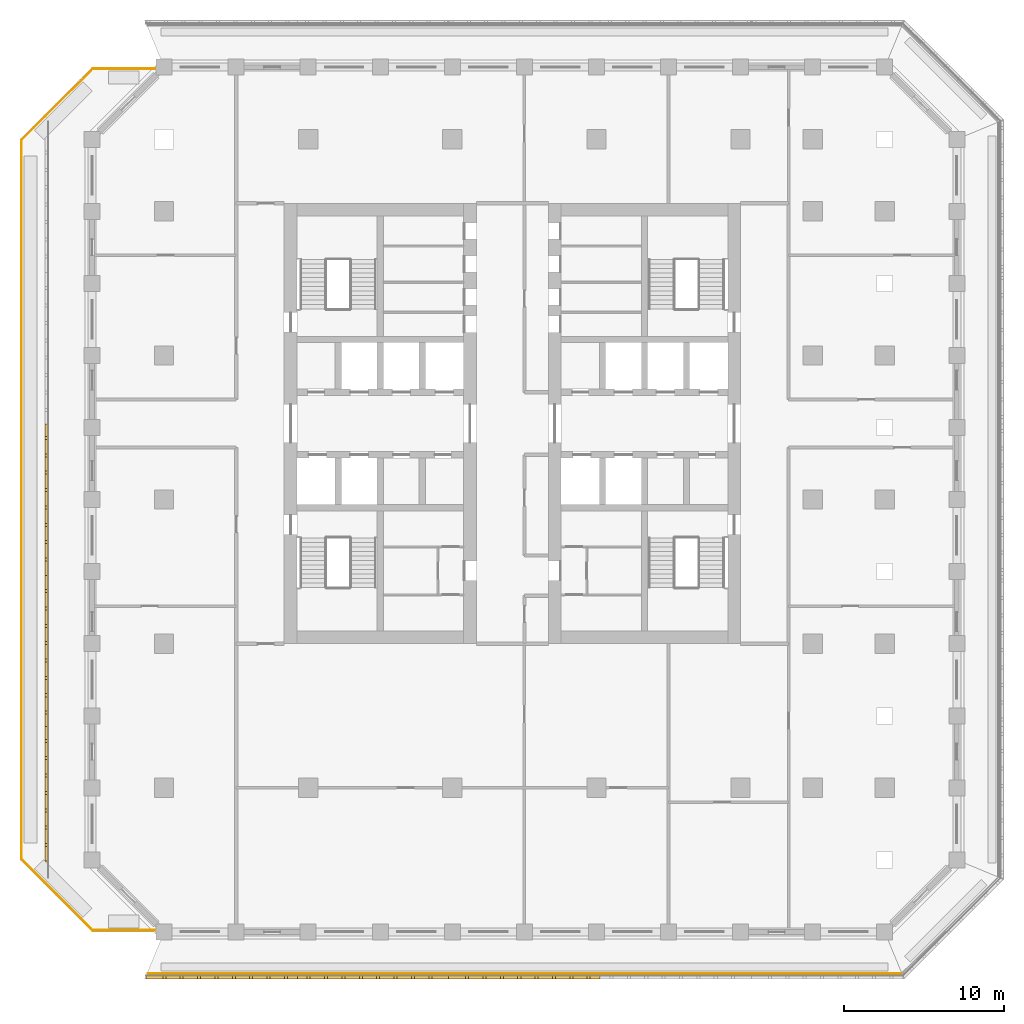
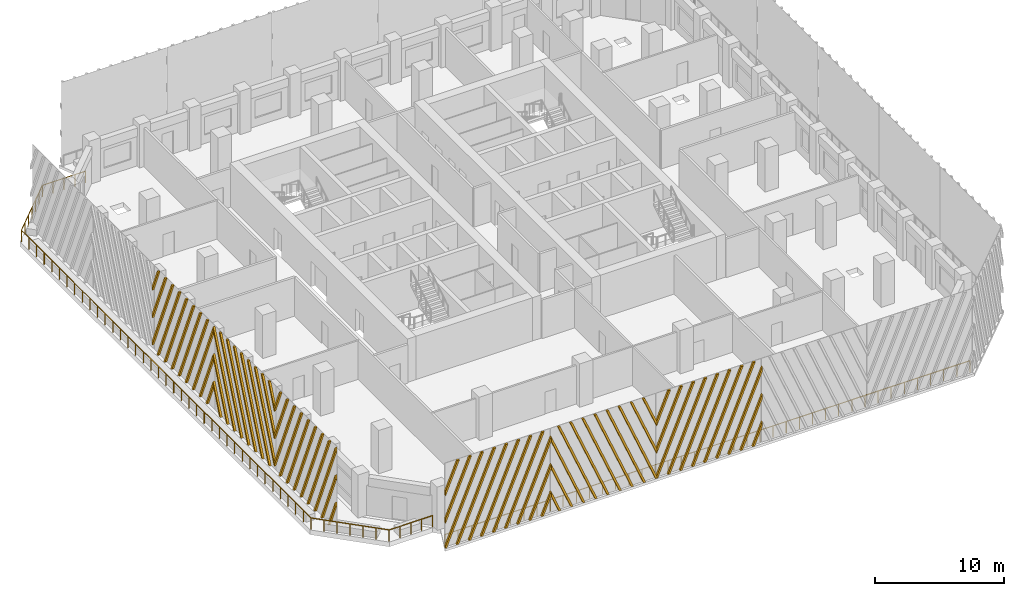
# One storey, part 9 of 16: 6 shading devices, 2 railings.
"""IFC4 building model written with IfcOpenShell, lengths in metres."""

from ifc_helpers import new_model, si_unit, direction, frame, origin, origin_2d, place, context, subcontext, project, spatial, polyline, circle, outline, extrude, source, transform, mapped, material, type_object, element, save


model = new_model("IFC4")

# Units and contexts
model_context = context("Model", 3, precision=1e-05, world=origin(), true_north=direction((0.0, 1.0)))
body_context = subcontext(model_context, "Body", "Model", "MODEL_VIEW")
ifc_project = project(units=[si_unit("LENGTHUNIT", "METRE"), si_unit("AREAUNIT", "SQUARE_METRE"), si_unit("VOLUMEUNIT", "CUBIC_METRE"), si_unit("PLANEANGLEUNIT", "RADIAN"), si_unit("MASSUNIT", "GRAM", prefix="KILO")], contexts=[model_context])

# Site, building, storey
site_placement = place(None, origin())
site = spatial("IfcSite", under=ifc_project, at=site_placement, CompositionType="ELEMENT")
building_placement = place(site_placement, origin())
building = spatial("IfcBuilding", under=site, at=building_placement, Name="Corbel Stack Research Tower", CompositionType="ELEMENT")
storey_placement = place(building_placement, frame((0.0, 0.0, 191.5)))
storey = spatial("IfcBuildingStorey", under=building, at=storey_placement, Name="L43", CompositionType="ELEMENT", Elevation=191.5)

# Railings
ifc_material_1 = material(Name="Powder-coated steel guard", Category="steel")
railing_type = type_object("IfcRailingType", Name="Steel and glass guard 1100", PredefinedType="GUARDRAIL", material=ifc_material_1)
railing_1_placement = place(storey_placement, frame((-19.00537109375, -29.60009765625, 0.0)))
element("IfcRailing", 1, at=railing_1_placement, inside=storey, type_object=railing_type, Name="Loggia guard L43 S", PredefinedType="GUARDRAIL", context=body_context, shape_type="SweptSolid", body=[
    extrude(circle(Radius=0.02392578125, at=origin_2d()), frame((0.0, 0.0, 1.076171875), z_axis=(1.0, 0.0, 0.0), x_axis=(0.0, 1.0, 0.0)), (0.0, 0.0, 1.0), 47.0107421875),
    extrude(circle(Radius=0.02099609375, at=origin_2d()), origin(), (0.0, 0.0, 1.0), 1.052001953125),
    extrude(circle(Radius=0.02099609375, at=origin_2d()), frame((1.17529296875, 0.0, 0.0)), (0.0, 0.0, 1.0), 1.052001953125),
    extrude(circle(Radius=0.02099609375, at=origin_2d()), frame((2.3505859375, 0.0, 0.0)), (0.0, 0.0, 1.0), 1.052001953125),
    extrude(circle(Radius=0.02099609375, at=origin_2d()), frame((3.52587890625, 0.0, 0.0)), (0.0, 0.0, 1.0), 1.052001953125),
    extrude(circle(Radius=0.02099609375, at=origin_2d()), frame((4.701171875, 0.0, 0.0)), (0.0, 0.0, 1.0), 1.052001953125),
    extrude(circle(Radius=0.02099609375, at=origin_2d()), frame((5.87646484375, 0.0, 0.0)), (0.0, 0.0, 1.0), 1.052001953125),
    extrude(circle(Radius=0.02099609375, at=origin_2d()), frame((7.051513671875, 0.0, 0.0)), (0.0, 0.0, 1.0), 1.052001953125),
    extrude(circle(Radius=0.02099609375, at=origin_2d()), frame((8.226806640625, 0.0, 0.0)), (0.0, 0.0, 1.0), 1.052001953125),
    extrude(circle(Radius=0.02099609375, at=origin_2d()), frame((9.402099609375, 0.0, 0.0)), (0.0, 0.0, 1.0), 1.052001953125),
    extrude(circle(Radius=0.02099609375, at=origin_2d()), frame((10.577392578125, 0.0, 0.0)), (0.0, 0.0, 1.0), 1.052001953125),
    extrude(circle(Radius=0.02099609375, at=origin_2d()), frame((11.752685546875, 0.0, 0.0)), (0.0, 0.0, 1.0), 1.052001953125),
    extrude(circle(Radius=0.02099609375, at=origin_2d()), frame((12.927978515625, 0.0, 0.0)), (0.0, 0.0, 1.0), 1.052001953125),
    extrude(circle(Radius=0.02099609375, at=origin_2d()), frame((14.103271484375, 0.0, 0.0)), (0.0, 0.0, 1.0), 1.052001953125),
    extrude(circle(Radius=0.02099609375, at=origin_2d()), frame((15.278564453125, 0.0, 0.0)), (0.0, 0.0, 1.0), 1.052001953125),
    extrude(circle(Radius=0.02099609375, at=origin_2d()), frame((16.453857421875, 0.0, 0.0)), (0.0, 0.0, 1.0), 1.052001953125),
    extrude(circle(Radius=0.02099609375, at=origin_2d()), frame((17.62890625, 0.0, 0.0)), (0.0, 0.0, 1.0), 1.052001953125),
    extrude(circle(Radius=0.02099609375, at=origin_2d()), frame((18.80419921875, 0.0, 0.0)), (0.0, 0.0, 1.0), 1.052001953125),
    extrude(circle(Radius=0.02099609375, at=origin_2d()), frame((19.9794921875, 0.0, 0.0)), (0.0, 0.0, 1.0), 1.052001953125),
    extrude(circle(Radius=0.02099609375, at=origin_2d()), frame((21.15478515625, 0.0, 0.0)), (0.0, 0.0, 1.0), 1.052001953125),
    extrude(circle(Radius=0.02099609375, at=origin_2d()), frame((22.330078125, 0.0, 0.0)), (0.0, 0.0, 1.0), 1.052001953125),
    extrude(circle(Radius=0.02099609375, at=origin_2d()), frame((23.50537109375, 0.0, 0.0)), (0.0, 0.0, 1.0), 1.052001953125),
    extrude(circle(Radius=0.02099609375, at=origin_2d()), frame((24.6806640625, 0.0, 0.0)), (0.0, 0.0, 1.0), 1.052001953125),
    extrude(circle(Radius=0.02099609375, at=origin_2d()), frame((25.85595703125, 0.0, 0.0)), (0.0, 0.0, 1.0), 1.052001953125),
    extrude(circle(Radius=0.02099609375, at=origin_2d()), frame((27.03125, 0.0, 0.0)), (0.0, 0.0, 1.0), 1.052001953125),
    extrude(circle(Radius=0.02099609375, at=origin_2d()), frame((28.20654296875, 0.0, 0.0)), (0.0, 0.0, 1.0), 1.052001953125),
    extrude(circle(Radius=0.02099609375, at=origin_2d()), frame((29.3818359375, 0.0, 0.0)), (0.0, 0.0, 1.0), 1.052001953125),
    extrude(circle(Radius=0.02099609375, at=origin_2d()), frame((30.556884765625, 0.0, 0.0)), (0.0, 0.0, 1.0), 1.052001953125),
    extrude(circle(Radius=0.02099609375, at=origin_2d()), frame((31.732177734375, 0.0, 0.0)), (0.0, 0.0, 1.0), 1.052001953125),
    extrude(circle(Radius=0.02099609375, at=origin_2d()), frame((32.907470703125, 0.0, 0.0)), (0.0, 0.0, 1.0), 1.052001953125),
    extrude(circle(Radius=0.02099609375, at=origin_2d()), frame((34.082763671875, 0.0, 0.0)), (0.0, 0.0, 1.0), 1.052001953125),
    extrude(circle(Radius=0.02099609375, at=origin_2d()), frame((35.258056640625, 0.0, 0.0)), (0.0, 0.0, 1.0), 1.052001953125),
    extrude(circle(Radius=0.02099609375, at=origin_2d()), frame((36.433349609375, 0.0, 0.0)), (0.0, 0.0, 1.0), 1.052001953125),
    extrude(circle(Radius=0.02099609375, at=origin_2d()), frame((37.608642578125, 0.0, 0.0)), (0.0, 0.0, 1.0), 1.052001953125),
    extrude(circle(Radius=0.02099609375, at=origin_2d()), frame((38.783935546875, 0.0, 0.0)), (0.0, 0.0, 1.0), 1.052001953125),
    extrude(circle(Radius=0.02099609375, at=origin_2d()), frame((39.959228515625, 0.0, 0.0)), (0.0, 0.0, 1.0), 1.052001953125),
    extrude(circle(Radius=0.02099609375, at=origin_2d()), frame((41.13427734375, 0.0, 0.0)), (0.0, 0.0, 1.0), 1.052001953125),
    extrude(circle(Radius=0.02099609375, at=origin_2d()), frame((42.3095703125, 0.0, 0.0)), (0.0, 0.0, 1.0), 1.052001953125),
    extrude(circle(Radius=0.02099609375, at=origin_2d()), frame((43.48486328125, 0.0, 0.0)), (0.0, 0.0, 1.0), 1.052001953125),
    extrude(circle(Radius=0.02099609375, at=origin_2d()), frame((44.66015625, 0.0, 0.0)), (0.0, 0.0, 1.0), 1.052001953125),
    extrude(circle(Radius=0.02099609375, at=origin_2d()), frame((45.83544921875, 0.0, 0.0)), (0.0, 0.0, 1.0), 1.052001953125),
    extrude(circle(Radius=0.02099609375, at=origin_2d()), frame((47.0107421875, 0.0, 0.0)), (0.0, 0.0, 1.0), 1.052001953125),
])
railing_2_placement = place(storey_placement, frame((-18.57421875, -26.89990234375, 0.0)))
element("IfcRailing", 2, at=railing_2_placement, inside=storey, type_object=railing_type, Name="Terrace guard L43", PredefinedType="GUARDRAIL", context=body_context, shape_type="SweptSolid", body=[
    extrude(circle(Radius=0.02392578125, at=origin_2d()), frame((0.0, 0.0, 1.076171875), z_axis=(-1.0, 0.0, 0.0), x_axis=(0.0, -1.0, 0.0)), (0.0, 0.0, 1.0), 3.88427734375),
    extrude(circle(Radius=0.02392578125, at=origin_2d()), frame((-3.88427734375, 0.0, 1.076171875), z_axis=(-0.707106781187, 0.707106781187, 0.0), x_axis=(-0.707106781187, -0.707106781187, 0.0)), (0.0, 0.0, 1.0), 6.281005859375),
    extrude(circle(Radius=0.02392578125, at=origin_2d()), frame((-8.32568359375, 4.44140625, 1.076171875), z_axis=(0.0, 1.0, 0.0), x_axis=(-1.0, 0.0, 0.0)), (0.0, 0.0, 1.0), 44.9169921875),
    extrude(circle(Radius=0.02392578125, at=origin_2d()), frame((-8.32568359375, 49.3583984375, 1.076171875), z_axis=(0.707106781187, 0.707106781187, 0.0), x_axis=(-0.707106781187, 0.707106781187, 0.0)), (0.0, 0.0, 1.0), 6.281005859375),
    extrude(circle(Radius=0.02392578125, at=origin_2d()), frame((-3.88427734375, 53.7998046875, 1.076171875), z_axis=(1.0, 0.0, 0.0), x_axis=(0.0, 1.0, 0.0)), (0.0, 0.0, 1.0), 3.88427734375),
    extrude(circle(Radius=0.02099609375, at=origin_2d()), origin(), (0.0, 0.0, 1.0), 1.052001953125),
    extrude(circle(Radius=0.02099609375, at=origin_2d()), frame((-0.97119140625, 0.0, 0.0)), (0.0, 0.0, 1.0), 1.052001953125),
    extrude(circle(Radius=0.02099609375, at=origin_2d()), frame((-1.942138671875, 0.0, 0.0)), (0.0, 0.0, 1.0), 1.052001953125),
    extrude(circle(Radius=0.02099609375, at=origin_2d()), frame((-2.9130859375, 0.0, 0.0)), (0.0, 0.0, 1.0), 1.052001953125),
    extrude(circle(Radius=0.02099609375, at=origin_2d()), frame((-3.88427734375, 0.0, 0.0)), (0.0, 0.0, 1.0), 1.052001953125),
    extrude(circle(Radius=0.02099609375, at=origin_2d()), frame((-4.62451171875, 0.740234375, 0.0)), (0.0, 0.0, 1.0), 1.052001953125),
    extrude(circle(Radius=0.02099609375, at=origin_2d()), frame((-5.36474609375, 1.48046875, 0.0)), (0.0, 0.0, 1.0), 1.052001953125),
    extrude(circle(Radius=0.02099609375, at=origin_2d()), frame((-6.10498046875, 2.220703125, 0.0)), (0.0, 0.0, 1.0), 1.052001953125),
    extrude(circle(Radius=0.02099609375, at=origin_2d()), frame((-6.84521484375, 2.9609375, 0.0)), (0.0, 0.0, 1.0), 1.052001953125),
    extrude(circle(Radius=0.02099609375, at=origin_2d()), frame((-7.58544921875, 3.701171875, 0.0)), (0.0, 0.0, 1.0), 1.052001953125),
    extrude(circle(Radius=0.02099609375, at=origin_2d()), frame((-8.32568359375, 4.44140625, 0.0)), (0.0, 0.0, 1.0), 1.052001953125),
    extrude(circle(Radius=0.02099609375, at=origin_2d()), frame((-8.32568359375, 5.62353515625, 0.0)), (0.0, 0.0, 1.0), 1.052001953125),
    extrude(circle(Radius=0.02099609375, at=origin_2d()), frame((-8.32568359375, 6.805419921875, 0.0)), (0.0, 0.0, 1.0), 1.052001953125),
    extrude(circle(Radius=0.02099609375, at=origin_2d()), frame((-8.32568359375, 7.987548828125, 0.0)), (0.0, 0.0, 1.0), 1.052001953125),
    extrude(circle(Radius=0.02099609375, at=origin_2d()), frame((-8.32568359375, 9.16943359375, 0.0)), (0.0, 0.0, 1.0), 1.052001953125),
    extrude(circle(Radius=0.02099609375, at=origin_2d()), frame((-8.32568359375, 10.3515625, 0.0)), (0.0, 0.0, 1.0), 1.052001953125),
    extrude(circle(Radius=0.02099609375, at=origin_2d()), frame((-8.32568359375, 11.533447265625, 0.0)), (0.0, 0.0, 1.0), 1.052001953125),
    extrude(circle(Radius=0.02099609375, at=origin_2d()), frame((-8.32568359375, 12.715576171875, 0.0)), (0.0, 0.0, 1.0), 1.052001953125),
    extrude(circle(Radius=0.02099609375, at=origin_2d()), frame((-8.32568359375, 13.897705078125, 0.0)), (0.0, 0.0, 1.0), 1.052001953125),
    extrude(circle(Radius=0.02099609375, at=origin_2d()), frame((-8.32568359375, 15.07958984375, 0.0)), (0.0, 0.0, 1.0), 1.052001953125),
    extrude(circle(Radius=0.02099609375, at=origin_2d()), frame((-8.32568359375, 16.26171875, 0.0)), (0.0, 0.0, 1.0), 1.052001953125),
    extrude(circle(Radius=0.02099609375, at=origin_2d()), frame((-8.32568359375, 17.443603515625, 0.0)), (0.0, 0.0, 1.0), 1.052001953125),
    extrude(circle(Radius=0.02099609375, at=origin_2d()), frame((-8.32568359375, 18.625732421875, 0.0)), (0.0, 0.0, 1.0), 1.052001953125),
    extrude(circle(Radius=0.02099609375, at=origin_2d()), frame((-8.32568359375, 19.807861328125, 0.0)), (0.0, 0.0, 1.0), 1.052001953125),
    extrude(circle(Radius=0.02099609375, at=origin_2d()), frame((-8.32568359375, 20.98974609375, 0.0)), (0.0, 0.0, 1.0), 1.052001953125),
    extrude(circle(Radius=0.02099609375, at=origin_2d()), frame((-8.32568359375, 22.171875, 0.0)), (0.0, 0.0, 1.0), 1.052001953125),
    extrude(circle(Radius=0.02099609375, at=origin_2d()), frame((-8.32568359375, 23.353759765625, 0.0)), (0.0, 0.0, 1.0), 1.052001953125),
    extrude(circle(Radius=0.02099609375, at=origin_2d()), frame((-8.32568359375, 24.535888671875, 0.0)), (0.0, 0.0, 1.0), 1.052001953125),
    extrude(circle(Radius=0.02099609375, at=origin_2d()), frame((-8.32568359375, 25.7177734375, 0.0)), (0.0, 0.0, 1.0), 1.052001953125),
    extrude(circle(Radius=0.02099609375, at=origin_2d()), frame((-8.32568359375, 26.89990234375, 0.0)), (0.0, 0.0, 1.0), 1.052001953125),
    extrude(circle(Radius=0.02099609375, at=origin_2d()), frame((-8.32568359375, 28.08203125, 0.0)), (0.0, 0.0, 1.0), 1.052001953125),
    extrude(circle(Radius=0.02099609375, at=origin_2d()), frame((-8.32568359375, 29.263916015625, 0.0)), (0.0, 0.0, 1.0), 1.052001953125),
    extrude(circle(Radius=0.02099609375, at=origin_2d()), frame((-8.32568359375, 30.446044921875, 0.0)), (0.0, 0.0, 1.0), 1.052001953125),
    extrude(circle(Radius=0.02099609375, at=origin_2d()), frame((-8.32568359375, 31.6279296875, 0.0)), (0.0, 0.0, 1.0), 1.052001953125),
    extrude(circle(Radius=0.02099609375, at=origin_2d()), frame((-8.32568359375, 32.81005859375, 0.0)), (0.0, 0.0, 1.0), 1.052001953125),
    extrude(circle(Radius=0.02099609375, at=origin_2d()), frame((-8.32568359375, 33.991943359375, 0.0)), (0.0, 0.0, 1.0), 1.052001953125),
    extrude(circle(Radius=0.02099609375, at=origin_2d()), frame((-8.32568359375, 35.174072265625, 0.0)), (0.0, 0.0, 1.0), 1.052001953125),
    extrude(circle(Radius=0.02099609375, at=origin_2d()), frame((-8.32568359375, 36.356201171875, 0.0)), (0.0, 0.0, 1.0), 1.052001953125),
    extrude(circle(Radius=0.02099609375, at=origin_2d()), frame((-8.32568359375, 37.5380859375, 0.0)), (0.0, 0.0, 1.0), 1.052001953125),
    extrude(circle(Radius=0.02099609375, at=origin_2d()), frame((-8.32568359375, 38.72021484375, 0.0)), (0.0, 0.0, 1.0), 1.052001953125),
    extrude(circle(Radius=0.02099609375, at=origin_2d()), frame((-8.32568359375, 39.902099609375, 0.0)), (0.0, 0.0, 1.0), 1.052001953125),
    extrude(circle(Radius=0.02099609375, at=origin_2d()), frame((-8.32568359375, 41.084228515625, 0.0)), (0.0, 0.0, 1.0), 1.052001953125),
    extrude(circle(Radius=0.02099609375, at=origin_2d()), frame((-8.32568359375, 42.266357421875, 0.0)), (0.0, 0.0, 1.0), 1.052001953125),
    extrude(circle(Radius=0.02099609375, at=origin_2d()), frame((-8.32568359375, 43.4482421875, 0.0)), (0.0, 0.0, 1.0), 1.052001953125),
    extrude(circle(Radius=0.02099609375, at=origin_2d()), frame((-8.32568359375, 44.63037109375, 0.0)), (0.0, 0.0, 1.0), 1.052001953125),
    extrude(circle(Radius=0.02099609375, at=origin_2d()), frame((-8.32568359375, 45.812255859375, 0.0)), (0.0, 0.0, 1.0), 1.052001953125),
    extrude(circle(Radius=0.02099609375, at=origin_2d()), frame((-8.32568359375, 46.994384765625, 0.0)), (0.0, 0.0, 1.0), 1.052001953125),
    extrude(circle(Radius=0.02099609375, at=origin_2d()), frame((-8.32568359375, 48.17626953125, 0.0)), (0.0, 0.0, 1.0), 1.052001953125),
    extrude(circle(Radius=0.02099609375, at=origin_2d()), frame((-8.32568359375, 49.3583984375, 0.0)), (0.0, 0.0, 1.0), 1.052001953125),
    extrude(circle(Radius=0.02099609375, at=origin_2d()), frame((-7.58544921875, 50.0986328125, 0.0)), (0.0, 0.0, 1.0), 1.052001953125),
    extrude(circle(Radius=0.02099609375, at=origin_2d()), frame((-6.84521484375, 50.8388671875, 0.0)), (0.0, 0.0, 1.0), 1.052001953125),
    extrude(circle(Radius=0.02099609375, at=origin_2d()), frame((-6.10498046875, 51.5791015625, 0.0)), (0.0, 0.0, 1.0), 1.052001953125),
    extrude(circle(Radius=0.02099609375, at=origin_2d()), frame((-5.36474609375, 52.3193359375, 0.0)), (0.0, 0.0, 1.0), 1.052001953125),
    extrude(circle(Radius=0.02099609375, at=origin_2d()), frame((-4.62451171875, 53.0595703125, 0.0)), (0.0, 0.0, 1.0), 1.052001953125),
    extrude(circle(Radius=0.02099609375, at=origin_2d()), frame((-3.88427734375, 53.7998046875, 0.0)), (0.0, 0.0, 1.0), 1.052001953125),
    extrude(circle(Radius=0.02099609375, at=origin_2d()), frame((-2.9130859375, 53.7998046875, 0.0)), (0.0, 0.0, 1.0), 1.052001953125),
    extrude(circle(Radius=0.02099609375, at=origin_2d()), frame((-1.942138671875, 53.7998046875, 0.0)), (0.0, 0.0, 1.0), 1.052001953125),
    extrude(circle(Radius=0.02099609375, at=origin_2d()), frame((-0.97119140625, 53.7998046875, 0.0)), (0.0, 0.0, 1.0), 1.052001953125),
    extrude(circle(Radius=0.02099609375, at=origin_2d()), frame((0.0, 53.7998046875, 0.0)), (0.0, 0.0, 1.0), 1.052001953125),
])

# Shading devices
ifc_material_2 = material(Name="Precast terracotta", Category="masonry")
shading_device_type = type_object("IfcShadingDeviceType", Name="Terracotta screen panel", PredefinedType="USERDEFINED", material=ifc_material_2)
shared_shape_1 = source(origin(), body_context, "Body", "SweptSolid", [
    extrude(outline(polyline([(1.245849609375, 7.949951171875), (1.055908203125, 7.949951171875), (0.0, 5.421875), (0.0, 4.966796875), (1.245849609375, 7.949951171875)])), frame((0.0, 0.0, 0.0), z_axis=(0.0, -1.0, 0.0), x_axis=(1.0, 0.0, 0.0)), (0.0, 0.0, 1.0), 0.179931640625),
    extrude(outline(polyline([(2.33056640625, 7.949951171875), (2.140380859375, 7.949951171875), (0.0, 2.82470703125), (0.0, 2.36962890625), (2.33056640625, 7.949951171875)])), frame((0.0, 0.0, 0.0), z_axis=(0.0, -1.0, 0.0), x_axis=(1.0, 0.0, 0.0)), (0.0, 0.0, 1.0), 0.179931640625),
    extrude(outline(polyline([(0.094970703125, 0.0), (3.415283203125, 7.949951171875), (3.22509765625, 7.949951171875), (0.0, 0.2275390625), (0.0, 0.0), (0.094970703125, 0.0)])), frame((0.0, 0.0, 0.0), z_axis=(0.0, -1.0, 0.0), x_axis=(1.0, 0.0, 0.0)), (0.0, 0.0, 1.0), 0.179931640625),
    extrude(outline(polyline([(1.1796875, 0.0), (4.499755859375, 7.949951171875), (4.309814453125, 7.949951171875), (0.98974609375, 0.0), (1.1796875, 0.0)])), frame((0.0, 0.0, 0.0), z_axis=(0.0, -1.0, 0.0), x_axis=(1.0, 0.0, 0.0)), (0.0, 0.0, 1.0), 0.179931640625),
    extrude(outline(polyline([(2.264404296875, 0.0), (5.58447265625, 7.949951171875), (5.39453125, 7.949951171875), (2.07421875, 0.0), (2.264404296875, 0.0)])), frame((0.0, 0.0, 0.0), z_axis=(0.0, -1.0, 0.0), x_axis=(1.0, 0.0, 0.0)), (0.0, 0.0, 1.0), 0.179931640625),
    extrude(outline(polyline([(3.34912109375, 0.0), (6.669189453125, 7.949951171875), (6.479248046875, 7.949951171875), (3.158935546875, 0.0), (3.34912109375, 0.0)])), frame((0.0, 0.0, 0.0), z_axis=(0.0, -1.0, 0.0), x_axis=(1.0, 0.0, 0.0)), (0.0, 0.0, 1.0), 0.179931640625),
    extrude(outline(polyline([(4.43359375, 0.0), (7.75390625, 7.949951171875), (7.563720703125, 7.949951171875), (4.24365234375, 0.0), (4.43359375, 0.0)])), frame((0.0, 0.0, 0.0), z_axis=(0.0, -1.0, 0.0), x_axis=(1.0, 0.0, 0.0)), (0.0, 0.0, 1.0), 0.179931640625),
    extrude(outline(polyline([(5.518310546875, 0.0), (8.83837890625, 7.949951171875), (8.6484375, 7.949951171875), (5.328369140625, 0.0), (5.518310546875, 0.0)])), frame((0.0, 0.0, 0.0), z_axis=(0.0, -1.0, 0.0), x_axis=(1.0, 0.0, 0.0)), (0.0, 0.0, 1.0), 0.179931640625),
    extrude(outline(polyline([(6.60302734375, 0.0), (9.45556640625, 6.83056640625), (9.45556640625, 7.285400390625), (6.4130859375, 0.0), (6.60302734375, 0.0)])), frame((0.0, 0.0, 0.0), z_axis=(0.0, -1.0, 0.0), x_axis=(1.0, 0.0, 0.0)), (0.0, 0.0, 1.0), 0.179931640625),
    extrude(outline(polyline([(7.687744140625, 0.0), (9.45556640625, 4.2333984375), (9.45556640625, 4.688232421875), (7.497802734375, 0.0), (7.687744140625, 0.0)])), frame((0.0, 0.0, 0.0), z_axis=(0.0, -1.0, 0.0), x_axis=(1.0, 0.0, 0.0)), (0.0, 0.0, 1.0), 0.179931640625),
    extrude(outline(polyline([(8.772216796875, 0.0), (9.45556640625, 1.635986328125), (9.45556640625, 2.091064453125), (8.582275390625, 0.0), (8.772216796875, 0.0)])), frame((0.0, 0.0, 0.0), z_axis=(0.0, -1.0, 0.0), x_axis=(1.0, 0.0, 0.0)), (0.0, 0.0, 1.0), 0.179931640625),
])
for number, where, z_axis, x_axis, name in (
    (3, (-19.13916015625, -29.75, 0.0), (0.0, 0.0, 1.0), (1.0, 0.0, 0.0), "Terracotta screen L43 S1"),
    (4, (-0.227783203125, -29.75, 0.0), (0.0, 0.0, 1.0), (1.0, 0.0, 0.0), "Terracotta screen L43 S3"),
):
    element("IfcShadingDevice", number, at=place(storey_placement, frame(where, z_axis=z_axis, x_axis=x_axis)), inside=storey, type_object=shading_device_type, Name=name, ObjectType="SCREEN", PredefinedType="USERDEFINED", context=body_context, shape_type="MappedRepresentation", body=[
        mapped(shared_shape_1, transform((0.0, 0.0, 0.0))),
    ])
shared_shape_2 = source(origin(), body_context, "Body", "SweptSolid", [
    extrude(outline(polyline([(0.873291015625, 0.0), (0.0, 2.091064453125), (0.0, 1.635986328125), (0.683349609375, 0.0), (0.873291015625, 0.0)])), frame((0.0, 0.0, 0.0), z_axis=(0.0, -1.0, 0.0), x_axis=(1.0, 0.0, 0.0)), (0.0, 0.0, 1.0), 0.179931640625),
    extrude(outline(polyline([(1.9580078125, 0.0), (0.0, 4.688232421875), (0.0, 4.2333984375), (1.76806640625, 0.0), (1.9580078125, 0.0)])), frame((0.0, 0.0, 0.0), z_axis=(0.0, -1.0, 0.0), x_axis=(1.0, 0.0, 0.0)), (0.0, 0.0, 1.0), 0.179931640625),
    extrude(outline(polyline([(3.04248046875, 0.0), (0.0, 7.285400390625), (0.0, 6.83056640625), (2.8525390625, 0.0), (3.04248046875, 0.0)])), frame((0.0, 0.0, 0.0), z_axis=(0.0, -1.0, 0.0), x_axis=(1.0, 0.0, 0.0)), (0.0, 0.0, 1.0), 0.179931640625),
    extrude(outline(polyline([(4.127197265625, 0.0), (0.80712890625, 7.949951171875), (0.6171875, 7.949951171875), (3.937255859375, 0.0), (4.127197265625, 0.0)])), frame((0.0, 0.0, 0.0), z_axis=(0.0, -1.0, 0.0), x_axis=(1.0, 0.0, 0.0)), (0.0, 0.0, 1.0), 0.179931640625),
    extrude(outline(polyline([(5.2119140625, 0.0), (1.891845703125, 7.949951171875), (1.701904296875, 7.949951171875), (5.02197265625, 0.0), (5.2119140625, 0.0)])), frame((0.0, 0.0, 0.0), z_axis=(0.0, -1.0, 0.0), x_axis=(1.0, 0.0, 0.0)), (0.0, 0.0, 1.0), 0.179931640625),
    extrude(outline(polyline([(6.296630859375, 0.0), (2.9765625, 7.949951171875), (2.78662109375, 7.949951171875), (6.106689453125, 0.0), (6.296630859375, 0.0)])), frame((0.0, 0.0, 0.0), z_axis=(0.0, -1.0, 0.0), x_axis=(1.0, 0.0, 0.0)), (0.0, 0.0, 1.0), 0.179931640625),
    extrude(outline(polyline([(7.38134765625, 0.0), (4.06103515625, 7.949951171875), (3.87109375, 7.949951171875), (7.19140625, 0.0), (7.38134765625, 0.0)])), frame((0.0, 0.0, 0.0), z_axis=(0.0, -1.0, 0.0), x_axis=(1.0, 0.0, 0.0)), (0.0, 0.0, 1.0), 0.179931640625),
    extrude(outline(polyline([(8.466064453125, 0.0), (5.145751953125, 7.949951171875), (4.955810546875, 7.949951171875), (8.27587890625, 0.0), (8.466064453125, 0.0)])), frame((0.0, 0.0, 0.0), z_axis=(0.0, -1.0, 0.0), x_axis=(1.0, 0.0, 0.0)), (0.0, 0.0, 1.0), 0.179931640625),
    extrude(outline(polyline([(9.45556640625, 0.0), (9.45556640625, 0.2275390625), (6.23046875, 7.949951171875), (6.04052734375, 7.949951171875), (9.360595703125, 0.0), (9.45556640625, 0.0)])), frame((0.0, 0.0, 0.0), z_axis=(0.0, -1.0, 0.0), x_axis=(1.0, 0.0, 0.0)), (0.0, 0.0, 1.0), 0.179931640625),
    extrude(outline(polyline([(7.315185546875, 7.949951171875), (7.125, 7.949951171875), (9.45556640625, 2.36962890625), (9.45556640625, 2.82470703125), (7.315185546875, 7.949951171875)])), frame((0.0, 0.0, 0.0), z_axis=(0.0, -1.0, 0.0), x_axis=(1.0, 0.0, 0.0)), (0.0, 0.0, 1.0), 0.179931640625),
    extrude(outline(polyline([(8.39990234375, 7.949951171875), (8.209716796875, 7.949951171875), (9.45556640625, 4.966796875), (9.45556640625, 5.421875), (8.39990234375, 7.949951171875)])), frame((0.0, 0.0, 0.0), z_axis=(0.0, -1.0, 0.0), x_axis=(1.0, 0.0, 0.0)), (0.0, 0.0, 1.0), 0.179931640625),
])
shading_device_1_placement = place(storey_placement, frame((-9.68359375, -29.75, 0.0), z_axis=(0.0, 0.0, 1.0), x_axis=(1.0, 0.0, 0.0)))
element("IfcShadingDevice", 5, at=shading_device_1_placement, inside=storey, type_object=shading_device_type, Name="Terracotta screen L43 S2", ObjectType="SCREEN", PredefinedType="USERDEFINED", context=body_context, shape_type="MappedRepresentation", body=[
    mapped(shared_shape_2, transform((0.0, 0.0, 0.0))),
])
shared_shape_3 = source(origin(), body_context, "Body", "SweptSolid", [
    extrude(outline(polyline([(0.974609375, 7.949951171875), (0.78466796875, 7.949951171875), (0.0, 6.071044921875), (0.0, 5.6162109375), (0.974609375, 7.949951171875)])), frame((0.0, 0.0, 0.0), z_axis=(0.0, -1.0, 0.0), x_axis=(1.0, 0.0, 0.0)), (0.0, 0.0, 1.0), 0.179931640625),
    extrude(outline(polyline([(2.059326171875, 7.949951171875), (1.869384765625, 7.949951171875), (0.0, 3.473876953125), (0.0, 3.01904296875), (2.059326171875, 7.949951171875)])), frame((0.0, 0.0, 0.0), z_axis=(0.0, -1.0, 0.0), x_axis=(1.0, 0.0, 0.0)), (0.0, 0.0, 1.0), 0.179931640625),
    extrude(outline(polyline([(3.14404296875, 7.949951171875), (2.9541015625, 7.949951171875), (0.0, 0.876708984375), (0.0, 0.421875), (3.14404296875, 7.949951171875)])), frame((0.0, 0.0, 0.0), z_axis=(0.0, -1.0, 0.0), x_axis=(1.0, 0.0, 0.0)), (0.0, 0.0, 1.0), 0.179931640625),
    extrude(outline(polyline([(0.908447265625, 0.0), (4.228759765625, 7.949951171875), (4.038818359375, 7.949951171875), (0.718505859375, 0.0), (0.908447265625, 0.0)])), frame((0.0, 0.0, 0.0), z_axis=(0.0, -1.0, 0.0), x_axis=(1.0, 0.0, 0.0)), (0.0, 0.0, 1.0), 0.179931640625),
    extrude(outline(polyline([(1.9931640625, 0.0), (5.313232421875, 7.949951171875), (5.123291015625, 7.949951171875), (1.80322265625, 0.0), (1.9931640625, 0.0)])), frame((0.0, 0.0, 0.0), z_axis=(0.0, -1.0, 0.0), x_axis=(1.0, 0.0, 0.0)), (0.0, 0.0, 1.0), 0.179931640625),
    extrude(outline(polyline([(3.077880859375, 0.0), (6.39794921875, 7.949951171875), (6.2080078125, 7.949951171875), (2.8876953125, 0.0), (3.077880859375, 0.0)])), frame((0.0, 0.0, 0.0), z_axis=(0.0, -1.0, 0.0), x_axis=(1.0, 0.0, 0.0)), (0.0, 0.0, 1.0), 0.179931640625),
    extrude(outline(polyline([(4.16259765625, 0.0), (7.482666015625, 7.949951171875), (7.292724609375, 7.949951171875), (3.972412109375, 0.0), (4.16259765625, 0.0)])), frame((0.0, 0.0, 0.0), z_axis=(0.0, -1.0, 0.0), x_axis=(1.0, 0.0, 0.0)), (0.0, 0.0, 1.0), 0.179931640625),
    extrude(outline(polyline([(5.247314453125, 0.0), (8.5673828125, 7.949951171875), (8.377197265625, 7.949951171875), (5.05712890625, 0.0), (5.247314453125, 0.0)])), frame((0.0, 0.0, 0.0), z_axis=(0.0, -1.0, 0.0), x_axis=(1.0, 0.0, 0.0)), (0.0, 0.0, 1.0), 0.179931640625),
    extrude(outline(polyline([(6.331787109375, 0.0), (9.45556640625, 7.479736328125), (9.45556640625, 7.934814453125), (6.141845703125, 0.0), (6.331787109375, 0.0)])), frame((0.0, 0.0, 0.0), z_axis=(0.0, -1.0, 0.0), x_axis=(1.0, 0.0, 0.0)), (0.0, 0.0, 1.0), 0.179931640625),
    extrude(outline(polyline([(7.41650390625, 0.0), (9.45556640625, 4.882568359375), (9.45556640625, 5.337646484375), (7.2265625, 0.0), (7.41650390625, 0.0)])), frame((0.0, 0.0, 0.0), z_axis=(0.0, -1.0, 0.0), x_axis=(1.0, 0.0, 0.0)), (0.0, 0.0, 1.0), 0.179931640625),
    extrude(outline(polyline([(8.501220703125, 0.0), (9.45556640625, 2.285400390625), (9.45556640625, 2.740478515625), (8.311279296875, 0.0), (8.501220703125, 0.0)])), frame((0.0, 0.0, 0.0), z_axis=(0.0, -1.0, 0.0), x_axis=(1.0, 0.0, 0.0)), (0.0, 0.0, 1.0), 0.179931640625),
])
for number, where, z_axis, x_axis, name in (
    (6, (-25.25, 4.727783203125, 0.0), (0.0, 0.0, 1.0), (0.0, -1.0, 0.0), "Terracotta screen L43 W3"),
    (7, (-25.25, -14.18359375, 0.0), (0.0, 0.0, 1.0), (0.0, -1.0, 0.0), "Terracotta screen L43 W5"),
):
    element("IfcShadingDevice", number, at=place(storey_placement, frame(where, z_axis=z_axis, x_axis=x_axis)), inside=storey, type_object=shading_device_type, Name=name, ObjectType="SCREEN", PredefinedType="USERDEFINED", context=body_context, shape_type="MappedRepresentation", body=[
        mapped(shared_shape_3, transform((0.0, 0.0, 0.0))),
    ])
shared_shape_4 = source(origin(), body_context, "Body", "SweptSolid", [
    extrude(outline(polyline([(1.14453125, 0.0), (0.0, 2.740478515625), (0.0, 2.285400390625), (0.95458984375, 0.0), (1.14453125, 0.0)])), frame((0.0, 0.0, 0.0), z_axis=(0.0, -1.0, 0.0), x_axis=(1.0, 0.0, 0.0)), (0.0, 0.0, 1.0), 0.179931640625),
    extrude(outline(polyline([(2.22900390625, 0.0), (0.0, 5.337646484375), (0.0, 4.882568359375), (2.0390625, 0.0), (2.22900390625, 0.0)])), frame((0.0, 0.0, 0.0), z_axis=(0.0, -1.0, 0.0), x_axis=(1.0, 0.0, 0.0)), (0.0, 0.0, 1.0), 0.179931640625),
    extrude(outline(polyline([(3.313720703125, 0.0), (0.0, 7.934814453125), (0.0, 7.479736328125), (3.123779296875, 0.0), (3.313720703125, 0.0)])), frame((0.0, 0.0, 0.0), z_axis=(0.0, -1.0, 0.0), x_axis=(1.0, 0.0, 0.0)), (0.0, 0.0, 1.0), 0.179931640625),
    extrude(outline(polyline([(4.3984375, 0.0), (1.078369140625, 7.949951171875), (0.88818359375, 7.949951171875), (4.20849609375, 0.0), (4.3984375, 0.0)])), frame((0.0, 0.0, 0.0), z_axis=(0.0, -1.0, 0.0), x_axis=(1.0, 0.0, 0.0)), (0.0, 0.0, 1.0), 0.179931640625),
    extrude(outline(polyline([(5.483154296875, 0.0), (2.1630859375, 7.949951171875), (1.972900390625, 7.949951171875), (5.293212890625, 0.0), (5.483154296875, 0.0)])), frame((0.0, 0.0, 0.0), z_axis=(0.0, -1.0, 0.0), x_axis=(1.0, 0.0, 0.0)), (0.0, 0.0, 1.0), 0.179931640625),
    extrude(outline(polyline([(6.56787109375, 0.0), (3.24755859375, 7.949951171875), (3.0576171875, 7.949951171875), (6.377685546875, 0.0), (6.56787109375, 0.0)])), frame((0.0, 0.0, 0.0), z_axis=(0.0, -1.0, 0.0), x_axis=(1.0, 0.0, 0.0)), (0.0, 0.0, 1.0), 0.179931640625),
    extrude(outline(polyline([(7.652587890625, 0.0), (4.332275390625, 7.949951171875), (4.142333984375, 7.949951171875), (7.46240234375, 0.0), (7.652587890625, 0.0)])), frame((0.0, 0.0, 0.0), z_axis=(0.0, -1.0, 0.0), x_axis=(1.0, 0.0, 0.0)), (0.0, 0.0, 1.0), 0.179931640625),
    extrude(outline(polyline([(8.737060546875, 0.0), (5.4169921875, 7.949951171875), (5.22705078125, 7.949951171875), (8.547119140625, 0.0), (8.737060546875, 0.0)])), frame((0.0, 0.0, 0.0), z_axis=(0.0, -1.0, 0.0), x_axis=(1.0, 0.0, 0.0)), (0.0, 0.0, 1.0), 0.179931640625),
    extrude(outline(polyline([(6.501708984375, 7.949951171875), (6.3115234375, 7.949951171875), (9.45556640625, 0.421875), (9.45556640625, 0.876708984375), (6.501708984375, 7.949951171875)])), frame((0.0, 0.0, 0.0), z_axis=(0.0, -1.0, 0.0), x_axis=(1.0, 0.0, 0.0)), (0.0, 0.0, 1.0), 0.179931640625),
    extrude(outline(polyline([(7.586181640625, 7.949951171875), (7.396240234375, 7.949951171875), (9.45556640625, 3.01904296875), (9.45556640625, 3.473876953125), (7.586181640625, 7.949951171875)])), frame((0.0, 0.0, 0.0), z_axis=(0.0, -1.0, 0.0), x_axis=(1.0, 0.0, 0.0)), (0.0, 0.0, 1.0), 0.179931640625),
    extrude(outline(polyline([(8.6708984375, 7.949951171875), (8.48095703125, 7.949951171875), (9.45556640625, 5.6162109375), (9.45556640625, 6.071044921875), (8.6708984375, 7.949951171875)])), frame((0.0, 0.0, 0.0), z_axis=(0.0, -1.0, 0.0), x_axis=(1.0, 0.0, 0.0)), (0.0, 0.0, 1.0), 0.179931640625),
])
shading_device_2_placement = place(storey_placement, frame((-25.25, -4.727783203125, 0.0), z_axis=(0.0, 0.0, 1.0), x_axis=(0.0, -1.0, 0.0)))
element("IfcShadingDevice", 8, at=shading_device_2_placement, inside=storey, type_object=shading_device_type, Name="Terracotta screen L43 W4", ObjectType="SCREEN", PredefinedType="USERDEFINED", context=body_context, shape_type="MappedRepresentation", body=[
    mapped(shared_shape_4, transform((0.0, 0.0, 0.0))),
])

save(model, "model.ifc")
